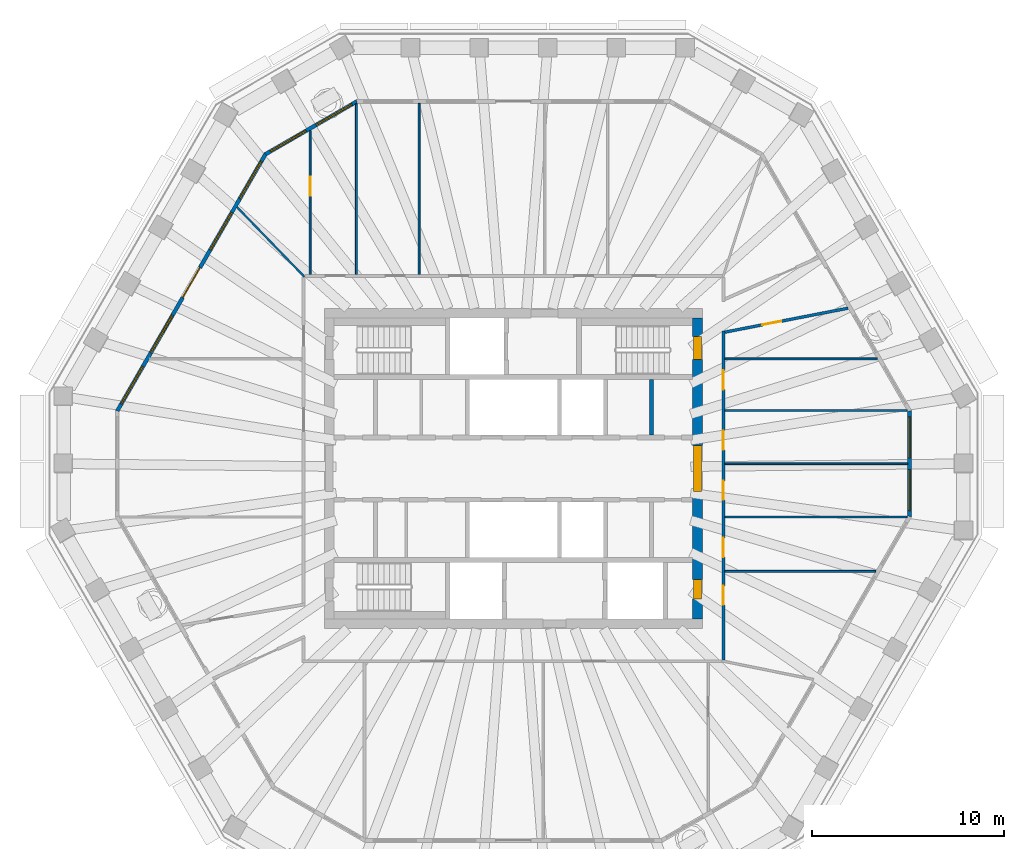
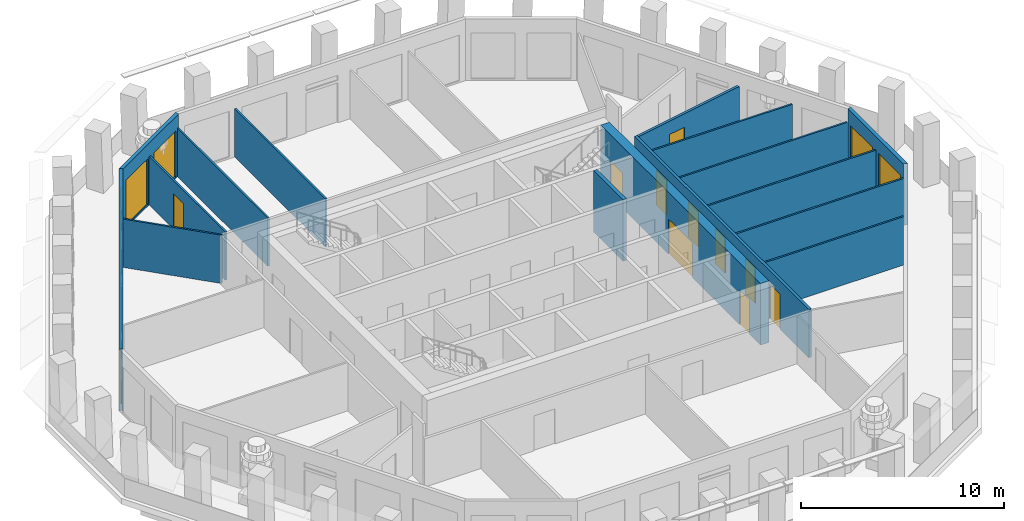
# One storey, part 6 of 12: 16 walls, 11 doors, 9 windows, 20 openings.
"""IFC4 building model written with IfcOpenShell, lengths in metres."""

from ifc_helpers import new_model, si_unit, direction, frame, frame_2d, origin, place, context, subcontext, project, spatial, polyline, rectangle, outline, extrude, material, layer, layer_set, type_object, element, fill, save


model = new_model("IFC4")

# Units and contexts
model_context = context("Model", 3, precision=1e-05, world=origin(), true_north=direction((0.0, 1.0)))
body_context = subcontext(model_context, "Body", "Model", "MODEL_VIEW")
ifc_project = project(units=[si_unit("LENGTHUNIT", "METRE"), si_unit("AREAUNIT", "SQUARE_METRE"), si_unit("VOLUMEUNIT", "CUBIC_METRE"), si_unit("PLANEANGLEUNIT", "RADIAN"), si_unit("MASSUNIT", "GRAM", prefix="KILO")], contexts=[model_context])

# Site, building, storey
site_placement = place(None, origin())
site = spatial("IfcSite", under=ifc_project, at=site_placement, CompositionType="ELEMENT")
building_placement = place(site_placement, origin())
building = spatial("IfcBuilding", under=site, at=building_placement, Name="Frailejon Research Tower", CompositionType="ELEMENT")
storey_placement = place(building_placement, frame((0.0, 0.0, 271.0)))
storey = spatial("IfcBuildingStorey", under=building, at=storey_placement, Name="L59", CompositionType="ELEMENT", Elevation=271.0)

# Wall, openings, doors
ifc_material_1 = material(Name="Concrete C50/60", Category="concrete")
ifc_layer_1 = layer(ifc_material_1, 0.5)
ifc_layer_set_1 = layer_set([ifc_layer_1], Name="Core shear wall 500 C50/60")
wall_type_1 = type_object("IfcWallType", Name="Core shear wall 500 C50/60", PredefinedType="SHEAR", material=ifc_layer_set_1)
wall_1_placement = place(storey_placement, frame((9.60009765625, -7.85009765625, 0.0), z_axis=(0.0, 0.0, 1.0), x_axis=(0.0, 1.0, 0.0)))
wall_1 = element("IfcWall", 1, at=wall_1_placement, inside=storey, type_object=wall_type_1, Name="Core shear wall", PredefinedType="SHEAR", context=body_context, shape_type="SweptSolid", body=[
    extrude(rectangle(XDim=15.7001953125, YDim=0.5, at=frame_2d((7.85009765625, 0.0))), origin(), (0.0, 0.0, 1.0), 3.699951171875),
])
opening_1_placement = place(wall_1_placement, frame((6.64990234375, 0.0, 0.0)))
opening_1 = element("IfcOpeningElement", 2, at=opening_1_placement, cuts=wall_1, Name="Opening D2", PredefinedType="OPENING", context=body_context, shape_type="SweptSolid", body=[
    extrude(rectangle(XDim=2.39990234375, YDim=2.10009765625, at=frame_2d((1.199951171875, 1.050048828125))), frame((0.0, 0.260009765625, 0.0), z_axis=(0.0, -1.0, 0.0), x_axis=(1.0, 0.0, 0.0)), (0.0, 0.0, 1.0), 0.52001953125),
])
opening_2_placement = place(wall_1_placement, frame((13.550048828125, 0.0, 0.0)))
opening_2 = element("IfcOpeningElement", 3, at=opening_2_placement, cuts=wall_1, Name="Opening D1", PredefinedType="OPENING", context=body_context, shape_type="SweptSolid", body=[
    extrude(rectangle(XDim=1.199951171875, YDim=2.10009765625, at=frame_2d((0.60009765625, 1.050048828125))), frame((0.0, 0.260009765625, 0.0), z_axis=(0.0, -1.0, 0.0), x_axis=(1.0, 0.0, 0.0)), (0.0, 0.0, 1.0), 0.52001953125),
])
opening_3_placement = place(wall_1_placement, frame((1.050048828125, 0.0, 0.0)))
opening_3 = element("IfcOpeningElement", 4, at=opening_3_placement, cuts=wall_1, Name="Opening D4", PredefinedType="OPENING", context=body_context, shape_type="SweptSolid", body=[
    extrude(rectangle(XDim=1.0, YDim=2.10009765625, at=frame_2d((0.5, 1.050048828125))), frame((0.0, 0.260009765625, 0.0), z_axis=(0.0, -1.0, 0.0), x_axis=(1.0, 0.0, 0.0)), (0.0, 0.0, 1.0), 0.52001953125),
])
ifc_material_2 = material(Name="Steel", Category="steel")
door_type_1 = type_object("IfcDoorType", Name="Lobby double door", OperationType="DOUBLE_DOOR_SINGLE_SWING", PredefinedType="DOOR", material=ifc_material_2)
door_1_placement = place(opening_1_placement, origin())
door_1 = element("IfcDoor", 5, at=door_1_placement, inside=storey, type_object=door_type_1, Name="Lobby door", OperationType="DOUBLE_DOOR_SINGLE_SWING", OverallHeight=2.10009765625, OverallWidth=2.39990234375, PredefinedType="DOOR", context=body_context, shape_type="SweptSolid", body=[
    extrude(rectangle(XDim=2.39990234375, YDim=2.10009765625, at=frame_2d((1.199951171875, 1.050048828125))), frame((0.0, 0.199951171875, 0.0), z_axis=(0.0, -1.0, 0.0), x_axis=(1.0, 0.0, 0.0)), (0.0, 0.0, 1.0), 0.39990234375),
])
fill(opening_1, door_1)
ifc_material_3 = material(Name="Steel", Category="steel")
door_type_2 = type_object("IfcDoorType", Name="Service door", OperationType="SINGLE_SWING_LEFT", PredefinedType="DOOR", material=ifc_material_3)
door_2_placement = place(opening_3_placement, origin())
door_2 = element("IfcDoor", 6, at=door_2_placement, inside=storey, type_object=door_type_2, Name="Riser door", OperationType="SINGLE_SWING_LEFT", OverallHeight=2.10009765625, OverallWidth=1.0, PredefinedType="DOOR", context=body_context, shape_type="SweptSolid", body=[
    extrude(rectangle(XDim=1.0, YDim=2.10009765625, at=frame_2d((0.5, 1.050048828125))), frame((0.0, 0.199951171875, 0.0), z_axis=(0.0, -1.0, 0.0), x_axis=(1.0, 0.0, 0.0)), (0.0, 0.0, 1.0), 0.39990234375),
])
fill(opening_3, door_2)
ifc_material_4 = material(Name="Steel", Category="steel")
door_type_3 = type_object("IfcDoorType", Name="Stair door", OperationType="SINGLE_SWING_LEFT", PredefinedType="DOOR", material=ifc_material_4)
door_3_placement = place(opening_2_placement, origin())
door_3 = element("IfcDoor", 7, at=door_3_placement, inside=storey, type_object=door_type_3, Name="Stair door ST3", OperationType="SINGLE_SWING_RIGHT", OverallHeight=2.10009765625, OverallWidth=1.199951171875, PredefinedType="DOOR", context=body_context, shape_type="SweptSolid", body=[
    extrude(rectangle(XDim=1.199951171875, YDim=2.10009765625, at=frame_2d((0.60009765625, 1.050048828125))), frame((0.0, 0.199951171875, 0.0), z_axis=(0.0, -1.0, 0.0), x_axis=(1.0, 0.0, 0.0)), (0.0, 0.0, 1.0), 0.39990234375),
])
fill(opening_2, door_3)

# Wall, opening, door
ifc_material_5 = material(Name="Gypsum board and masonry partition", Category="masonry")
ifc_layer_2 = layer(ifc_material_5, 0.14990234375)
ifc_layer_set_2 = layer_set([ifc_layer_2], Name="Corridor wall EI 60, gypsum on steel studs 150")
wall_type_2 = type_object("IfcWallType", Name="Corridor wall EI 60, gypsum on steel studs 150", PredefinedType="PARTITIONING", material=ifc_layer_set_2)
wall_2_placement = place(storey_placement, frame((11.023681640625, 7.1142578125, 0.0), z_axis=(0.0, 0.0, 1.0), x_axis=(0.981587463139, 0.191013225219, 0.0)))
wall_2 = element("IfcWall", 8, at=wall_2_placement, inside=storey, type_object=wall_type_2, Name="T:IW:L59:001", PredefinedType="PARTITIONING", context=body_context, shape_type="SweptSolid", body=[
    extrude(rectangle(XDim=6.55419921875, YDim=0.14990234375, at=frame_2d((3.277099609375, 0.0))), origin(), (0.0, 0.0, 1.0), 2.89990234375),
])
opening_4_placement = place(wall_2_placement, frame((2.000244140625, 0.0, 0.0)))
opening_4 = element("IfcOpeningElement", 9, at=opening_4_placement, cuts=wall_2, Name="Opening D2133", PredefinedType="OPENING", context=body_context, shape_type="SweptSolid", body=[
    extrude(rectangle(XDim=1.0, YDim=2.10009765625, at=frame_2d((0.5, 1.050048828125))), frame((0.0, 0.0849609375, 0.0), z_axis=(0.0, -1.0, 0.0), x_axis=(1.0, 0.0, 0.0)), (0.0, 0.0, 1.0), 0.169921875),
])
ifc_material_6 = material(Name="Timber door leaf", Category="wood")
door_type_4 = type_object("IfcDoorType", Name="Door single leaf, timber, steel frame 1000", OperationType="NOTDEFINED", PredefinedType="DOOR", material=ifc_material_6)
door_4_placement = place(opening_4_placement, origin())
door_4 = element("IfcDoor", 10, at=door_4_placement, inside=storey, type_object=door_type_4, Name="D2133", OperationType="SINGLE_SWING_RIGHT", OverallHeight=2.10009765625, OverallWidth=1.0, PredefinedType="DOOR", context=body_context, shape_type="SweptSolid", body=[
    extrude(rectangle(XDim=1.0, YDim=2.10009765625, at=frame_2d((0.5, 1.050048828125))), frame((0.0, 0.02490234375, 0.0), z_axis=(0.0, -1.0, 0.0), x_axis=(1.0, 0.0, 0.0)), (0.0, 0.0, 1.0), 0.050048828125),
])
fill(opening_4, door_4)

# Wall, openings, doors
wall_3_placement = place(storey_placement, frame((10.949951171875, -9.97509765625, 0.0), z_axis=(0.0, 0.0, 1.0), x_axis=(0.0, 1.0, 0.0)))
wall_3 = element("IfcWall", 11, at=wall_3_placement, inside=storey, type_object=wall_type_2, Name="T:IW:L59:003", PredefinedType="PARTITIONING", context=body_context, shape_type="SweptSolid", body=[
    extrude(rectangle(XDim=17.150146484375, YDim=0.14990234375, at=frame_2d((8.5751953125, 0.0))), origin(), (0.0, 0.0, 1.0), 2.89990234375),
])
opening_5_placement = place(wall_3_placement, frame((10.953857421875, 0.0, 0.0)))
opening_5 = element("IfcOpeningElement", 12, at=opening_5_placement, cuts=wall_3, Name="Opening D2131", PredefinedType="OPENING", context=body_context, shape_type="SweptSolid", body=[
    extrude(rectangle(XDim=1.0, YDim=2.10009765625, at=frame_2d((0.5, 1.050048828125))), frame((0.0, 0.0849609375, 0.0), z_axis=(0.0, -1.0, 0.0), x_axis=(1.0, 0.0, 0.0)), (0.0, 0.0, 1.0), 0.169921875),
])
opening_6_placement = place(wall_3_placement, frame((14.09619140625, 0.0, 0.0)))
opening_6 = element("IfcOpeningElement", 13, at=opening_6_placement, cuts=wall_3, Name="Opening D2132", PredefinedType="OPENING", context=body_context, shape_type="SweptSolid", body=[
    extrude(rectangle(XDim=1.0, YDim=2.10009765625, at=frame_2d((0.5, 1.050048828125))), frame((0.0, 0.0849609375, 0.0), z_axis=(0.0, -1.0, 0.0), x_axis=(1.0, 0.0, 0.0)), (0.0, 0.0, 1.0), 0.169921875),
])
opening_7_placement = place(wall_3_placement, frame((2.860107421875, 0.0, 0.0)))
opening_7 = element("IfcOpeningElement", 14, at=opening_7_placement, cuts=wall_3, Name="Opening D2148", PredefinedType="OPENING", context=body_context, shape_type="SweptSolid", body=[
    extrude(rectangle(XDim=1.0, YDim=2.10009765625, at=frame_2d((0.5, 1.050048828125))), frame((0.0, 0.0849609375, 0.0), z_axis=(0.0, -1.0, 0.0), x_axis=(1.0, 0.0, 0.0)), (0.0, 0.0, 1.0), 0.169921875),
])
opening_8_placement = place(wall_3_placement, frame((5.357421875, 0.0, 0.0)))
opening_8 = element("IfcOpeningElement", 15, at=opening_8_placement, cuts=wall_3, Name="Opening D2149", PredefinedType="OPENING", context=body_context, shape_type="SweptSolid", body=[
    extrude(rectangle(XDim=1.0, YDim=2.10009765625, at=frame_2d((0.5, 1.050048828125))), frame((0.0, 0.0849609375, 0.0), z_axis=(0.0, -1.0, 0.0), x_axis=(1.0, 0.0, 0.0)), (0.0, 0.0, 1.0), 0.169921875),
])
opening_9_placement = place(wall_3_placement, frame((8.337158203125, 0.0, 0.0)))
opening_9 = element("IfcOpeningElement", 16, at=opening_9_placement, cuts=wall_3, Name="Opening D2150", PredefinedType="OPENING", context=body_context, shape_type="SweptSolid", body=[
    extrude(rectangle(XDim=1.0, YDim=2.10009765625, at=frame_2d((0.5, 1.050048828125))), frame((0.0, 0.0849609375, 0.0), z_axis=(0.0, -1.0, 0.0), x_axis=(1.0, 0.0, 0.0)), (0.0, 0.0, 1.0), 0.169921875),
])
door_5_placement = place(opening_5_placement, origin())
door_5 = element("IfcDoor", 17, at=door_5_placement, inside=storey, type_object=door_type_4, Name="D2131", OperationType="SINGLE_SWING_LEFT", OverallHeight=2.10009765625, OverallWidth=1.0, PredefinedType="DOOR", context=body_context, shape_type="SweptSolid", body=[
    extrude(rectangle(XDim=1.0, YDim=2.10009765625, at=frame_2d((0.5, 1.050048828125))), frame((0.0, 0.02490234375, 0.0), z_axis=(0.0, -1.0, 0.0), x_axis=(1.0, 0.0, 0.0)), (0.0, 0.0, 1.0), 0.050048828125),
])
fill(opening_5, door_5)
door_6_placement = place(opening_6_placement, origin())
door_6 = element("IfcDoor", 18, at=door_6_placement, inside=storey, type_object=door_type_4, Name="D2132", OperationType="SINGLE_SWING_LEFT", OverallHeight=2.10009765625, OverallWidth=1.0, PredefinedType="DOOR", context=body_context, shape_type="SweptSolid", body=[
    extrude(rectangle(XDim=1.0, YDim=2.10009765625, at=frame_2d((0.5, 1.050048828125))), frame((0.0, 0.02490234375, 0.0), z_axis=(0.0, -1.0, 0.0), x_axis=(1.0, 0.0, 0.0)), (0.0, 0.0, 1.0), 0.050048828125),
])
fill(opening_6, door_6)
door_7_placement = place(opening_7_placement, origin())
door_7 = element("IfcDoor", 19, at=door_7_placement, inside=storey, type_object=door_type_4, Name="D2148", OperationType="SINGLE_SWING_LEFT", OverallHeight=2.10009765625, OverallWidth=1.0, PredefinedType="DOOR", context=body_context, shape_type="SweptSolid", body=[
    extrude(rectangle(XDim=1.0, YDim=2.10009765625, at=frame_2d((0.5, 1.050048828125))), frame((0.0, 0.02490234375, 0.0), z_axis=(0.0, -1.0, 0.0), x_axis=(1.0, 0.0, 0.0)), (0.0, 0.0, 1.0), 0.050048828125),
])
fill(opening_7, door_7)
door_8_placement = place(opening_8_placement, origin())
door_8 = element("IfcDoor", 20, at=door_8_placement, inside=storey, type_object=door_type_4, Name="D2149", OperationType="SINGLE_SWING_RIGHT", OverallHeight=2.10009765625, OverallWidth=1.0, PredefinedType="DOOR", context=body_context, shape_type="SweptSolid", body=[
    extrude(rectangle(XDim=1.0, YDim=2.10009765625, at=frame_2d((0.5, 1.050048828125))), frame((0.0, 0.02490234375, 0.0), z_axis=(0.0, -1.0, 0.0), x_axis=(1.0, 0.0, 0.0)), (0.0, 0.0, 1.0), 0.050048828125),
])
fill(opening_8, door_8)
door_9_placement = place(opening_9_placement, origin())
door_9 = element("IfcDoor", 21, at=door_9_placement, inside=storey, type_object=door_type_4, Name="D2150", OperationType="SINGLE_SWING_LEFT", OverallHeight=2.10009765625, OverallWidth=1.0, PredefinedType="DOOR", context=body_context, shape_type="SweptSolid", body=[
    extrude(rectangle(XDim=1.0, YDim=2.10009765625, at=frame_2d((0.5, 1.050048828125))), frame((0.0, 0.02490234375, 0.0), z_axis=(0.0, -1.0, 0.0), x_axis=(1.0, 0.0, 0.0)), (0.0, 0.0, 1.0), 0.050048828125),
])
fill(opening_9, door_9)

# Walls
ifc_material_7 = material(Name="Gypsum board and masonry partition", Category="masonry")
ifc_layer_3 = layer(ifc_material_7, 0.10009765625)
ifc_layer_set_3 = layer_set([ifc_layer_3], Name="Partition, gypsum on steel studs 100")
wall_type_3 = type_object("IfcWallType", Name="Partition, gypsum on steel studs 100", PredefinedType="PARTITIONING", material=ifc_layer_set_3)
wall_4_placement = place(storey_placement, frame((11.02490234375, 3.02978515625, 0.0), z_axis=(0.0, 0.0, 1.0), x_axis=(1.0, 0.0, 0.0)))
element("IfcWall", 22, at=wall_4_placement, inside=storey, type_object=wall_type_3, Name="T:IW:L59:012", PredefinedType="PARTITIONING", context=body_context, shape_type="SweptSolid", body=[
    extrude(rectangle(XDim=9.51318359375, YDim=0.10009765625, at=frame_2d((4.756591796875, 0.0))), origin(), (0.0, 0.0, 1.0), 2.89990234375),
])
wall_5_placement = place(storey_placement, frame((11.02490234375, 0.25146484375, 0.0), z_axis=(0.0, 0.0, 1.0), x_axis=(1.0, 0.0, 0.0)))
element("IfcWall", 23, at=wall_5_placement, inside=storey, type_object=wall_type_3, Name="T:IW:L59:013", PredefinedType="PARTITIONING", context=body_context, shape_type="SweptSolid", body=[
    extrude(rectangle(XDim=9.544189453125, YDim=0.10009765625, at=frame_2d((4.77197265625, 0.0))), origin(), (0.0, 0.0, 1.0), 2.89990234375),
])
wall_6_placement = place(storey_placement, frame((11.02490234375, 5.71826171875, 0.0), z_axis=(0.0, 0.0, 1.0), x_axis=(1.0, 0.0, 0.0)))
element("IfcWall", 24, at=wall_6_placement, inside=storey, type_object=wall_type_3, Name="T:IW:L59:015", PredefinedType="PARTITIONING", context=body_context, shape_type="SweptSolid", body=[
    extrude(rectangle(XDim=7.9609375, YDim=0.10009765625, at=frame_2d((3.98046875, 0.0))), origin(), (0.0, 0.0, 1.0), 2.89990234375),
])
wall_7_placement = place(storey_placement, frame((-4.91748046875, 10.125, 0.0), z_axis=(0.0, 0.0, 1.0), x_axis=(0.0, 1.0, 0.0)))
element("IfcWall", 25, at=wall_7_placement, inside=storey, type_object=wall_type_3, Name="T:IW:L59:019", PredefinedType="PARTITIONING", context=body_context, shape_type="SweptSolid", body=[
    extrude(rectangle(XDim=8.925048828125, YDim=0.10009765625, at=frame_2d((4.46240234375, 0.0))), origin(), (0.0, 0.0, 1.0), 2.89990234375),
])
wall_8_placement = place(storey_placement, frame((-8.196044921875, 10.125, 0.0), z_axis=(0.0, 0.0, 1.0), x_axis=(0.0, 1.0, 0.0)))
element("IfcWall", 26, at=wall_8_placement, inside=storey, type_object=wall_type_3, Name="T:IW:L59:020", PredefinedType="PARTITIONING", context=body_context, shape_type="SweptSolid", body=[
    extrude(rectangle(XDim=8.89404296875, YDim=0.10009765625, at=frame_2d((4.447021484375, 0.0))), origin(), (0.0, 0.0, 1.0), 2.89990234375),
])

# Wall, opening, door
wall_9_placement = place(storey_placement, frame((-10.602294921875, 10.125, 0.0), z_axis=(0.0, 0.0, 1.0), x_axis=(0.0, 1.0, 0.0)))
wall_9 = element("IfcWall", 27, at=wall_9_placement, inside=storey, type_object=wall_type_3, Name="T:IW:L59:021", PredefinedType="PARTITIONING", context=body_context, shape_type="SweptSolid", body=[
    extrude(rectangle(XDim=7.5048828125, YDim=0.10009765625, at=frame_2d((3.75244140625, 0.0))), origin(), (0.0, 0.0, 1.0), 2.89990234375),
])
opening_10_placement = place(wall_9_placement, frame((4.096923828125, 0.0, 0.0)))
opening_10 = element("IfcOpeningElement", 28, at=opening_10_placement, cuts=wall_9, Name="Opening D2140", PredefinedType="OPENING", context=body_context, shape_type="SweptSolid", body=[
    extrude(rectangle(XDim=1.0, YDim=2.10009765625, at=frame_2d((0.5, 1.050048828125))), frame((0.0, 0.06005859375, 0.0), z_axis=(0.0, -1.0, 0.0), x_axis=(1.0, 0.0, 0.0)), (0.0, 0.0, 1.0), 0.1201171875),
])
door_10_placement = place(opening_10_placement, origin())
door_10 = element("IfcDoor", 29, at=door_10_placement, inside=storey, type_object=door_type_4, Name="D2140", OperationType="SINGLE_SWING_LEFT", OverallHeight=2.10009765625, OverallWidth=1.0, PredefinedType="DOOR", context=body_context, shape_type="SweptSolid", body=[
    extrude(rectangle(XDim=1.0, YDim=2.10009765625, at=frame_2d((0.5, 1.050048828125))), frame((0.0, 0.02490234375, 0.0), z_axis=(0.0, -1.0, 0.0), x_axis=(1.0, 0.0, 0.0)), (0.0, 0.0, 1.0), 0.050048828125),
])
fill(opening_10, door_10)

# Walls
wall_10_placement = place(storey_placement, frame((-14.416015625, 13.6337890625, 0.0), z_axis=(0.0, 0.0, 1.0), x_axis=(0.69518833949, -0.718827637641, 0.0)))
element("IfcWall", 30, at=wall_10_placement, inside=storey, type_object=wall_type_3, Name="T:IW:L59:022", PredefinedType="PARTITIONING", context=body_context, shape_type="SweptSolid", body=[
    extrude(rectangle(XDim=5.060546875, YDim=0.10009765625, at=frame_2d((2.5302734375, 0.0))), origin(), (0.0, 0.0, 1.0), 2.89990234375),
])
wall_11_placement = place(storey_placement, frame((11.02490234375, -2.527099609375, 0.0), z_axis=(0.0, 0.0, 1.0), x_axis=(1.0, 0.0, 0.0)))
element("IfcWall", 31, at=wall_11_placement, inside=storey, type_object=wall_type_3, Name="T:IW:L59:024", PredefinedType="PARTITIONING", context=body_context, shape_type="SweptSolid", body=[
    extrude(rectangle(XDim=9.51318359375, YDim=0.10009765625, at=frame_2d((4.756591796875, 0.0))), origin(), (0.0, 0.0, 1.0), 2.89990234375),
])
wall_12_placement = place(storey_placement, frame((11.02490234375, -5.3662109375, 0.0), z_axis=(0.0, 0.0, 1.0), x_axis=(1.0, 0.0, 0.0)))
element("IfcWall", 32, at=wall_12_placement, inside=storey, type_object=wall_type_3, Name="T:IW:L59:028", PredefinedType="PARTITIONING", context=body_context, shape_type="SweptSolid", body=[
    extrude(rectangle(XDim=7.873779296875, YDim=0.10009765625, at=frame_2d((3.93701171875, 0.0))), origin(), (0.0, 0.0, 1.0), 2.89990234375),
])
ifc_material_8 = material(Name="Concrete C50/60", Category="concrete")
ifc_layer_4 = layer(ifc_material_8, 0.199951171875)
ifc_layer_set_4 = layer_set([ifc_layer_4], Name="Shaft wall 200 C50/60")
wall_type_4 = type_object("IfcWallType", Name="Shaft wall 200 C50/60", PredefinedType="SOLIDWALL", material=ifc_layer_set_4)
wall_13_placement = place(storey_placement, frame((7.199951171875, 1.75, 0.0), z_axis=(0.0, 0.0, 1.0), x_axis=(0.0, 1.0, 0.0)))
element("IfcWall", 33, at=wall_13_placement, inside=storey, type_object=wall_type_4, Name="Shaft wall", PredefinedType="SOLIDWALL", context=body_context, shape_type="SweptSolid", body=[
    extrude(rectangle(XDim=2.89990234375, YDim=0.199951171875, at=frame_2d((1.449951171875, 0.0))), origin(), (0.0, 0.0, 1.0), 3.699951171875),
])

# Wall, openings, windows
ifc_material_9 = material(Name="Concrete C40/50 precast window wall panel", Category="concrete")
ifc_layer_5 = layer(ifc_material_9, 0.199951171875)
ifc_layer_set_5 = layer_set([ifc_layer_5], Name="Window wall 200")
wall_type_5 = type_object("IfcWallType", Name="Window wall 200", PredefinedType="SOLIDWALL", material=ifc_layer_set_5)
wall_14_placement = place(storey_placement, frame((20.6689453125, -2.500244140625, 0.0), z_axis=(0.0, 0.0, 1.0), x_axis=(0.0, 1.0, 0.0)))
wall_14 = element("IfcWall", 34, at=wall_14_placement, inside=storey, type_object=wall_type_5, Name="Exterior wall L59", PredefinedType="SOLIDWALL", context=body_context, shape_type="SweptSolid", body=[
    extrude(outline(polyline([(-0.02685546875, -0.10009765625), (1.08447265625, -0.10009765625), (2.196044921875, -0.10009765625), (3.307373046875, -0.10009765625), (4.4189453125, -0.10009765625), (5.5302734375, -0.10009765625), (5.4765625, 0.10009765625), (4.38671875, 0.10009765625), (3.296630859375, 0.10009765625), (2.206787109375, 0.10009765625), (1.11669921875, 0.10009765625), (0.02685546875, 0.10009765625), (-0.02685546875, -0.10009765625)])), origin(), (0.0, 0.0, 1.0), 3.699951171875),
])
opening_11_placement = place(wall_14_placement, frame((0.30078125, 0.0, 0.10009765625)))
opening_11 = element("IfcOpeningElement", 35, at=opening_11_placement, cuts=wall_14, Name="Opening W22", PredefinedType="OPENING", context=body_context, shape_type="SweptSolid", body=[
    extrude(rectangle(XDim=2.14990234375, YDim=2.75, at=frame_2d((1.074951171875, 1.375))), frame((0.0, 0.10986328125, 0.0), z_axis=(0.0, -1.0, 0.0), x_axis=(1.0, 0.0, 0.0)), (0.0, 0.0, 1.0), 0.219970703125),
])
opening_12_placement = place(wall_14_placement, frame((3.052490234375, 0.0, 0.10009765625)))
opening_12 = element("IfcOpeningElement", 36, at=opening_12_placement, cuts=wall_14, Name="Opening W22", PredefinedType="OPENING", context=body_context, shape_type="SweptSolid", body=[
    extrude(rectangle(XDim=2.14990234375, YDim=2.75, at=frame_2d((1.074951171875, 1.375))), frame((0.0, 0.10986328125, 0.0), z_axis=(0.0, -1.0, 0.0), x_axis=(1.0, 0.0, 0.0)), (0.0, 0.0, 1.0), 0.219970703125),
])
ifc_material_10 = material(Name="Aluminium framed double glazing", Category="aluminium")
window_type_1 = type_object("IfcWindowType", Name="Window 2150x2750", PartitioningType="SINGLE_PANEL", PredefinedType="WINDOW", material=ifc_material_10)
window_1_placement = place(opening_11_placement, origin())
window_1 = element("IfcWindow", 37, at=window_1_placement, inside=storey, type_object=window_type_1, Name="Window L59", OverallHeight=2.75, OverallWidth=2.14990234375, PartitioningType="SINGLE_PANEL", PredefinedType="WINDOW", context=body_context, shape_type="SweptSolid", body=[
    extrude(rectangle(XDim=2.14990234375, YDim=2.75, at=frame_2d((1.074951171875, 1.375))), frame((0.0, 0.030029296875, 0.0), z_axis=(0.0, -1.0, 0.0), x_axis=(1.0, 0.0, 0.0)), (0.0, 0.0, 1.0), 0.06005859375),
])
fill(opening_11, window_1)
window_2_placement = place(opening_12_placement, origin())
window_2 = element("IfcWindow", 38, at=window_2_placement, inside=storey, type_object=window_type_1, Name="Window L59", OverallHeight=2.75, OverallWidth=2.14990234375, PartitioningType="SINGLE_PANEL", PredefinedType="WINDOW", context=body_context, shape_type="SweptSolid", body=[
    extrude(rectangle(XDim=2.14990234375, YDim=2.75, at=frame_2d((1.074951171875, 1.375))), frame((0.0, 0.030029296875, 0.0), z_axis=(0.0, -1.0, 0.0), x_axis=(1.0, 0.0, 0.0)), (0.0, 0.0, 1.0), 0.06005859375),
])
fill(opening_12, window_2)

wall_15_placement = place(storey_placement, frame((-8.169189453125, 19.14990234375, 0.0), z_axis=(0.0, 0.0, 1.0), x_axis=(-0.866026017613, -0.499998936816, 0.0)))
wall_15 = element("IfcWall", 39, at=wall_15_placement, inside=storey, type_object=wall_type_5, Name="Exterior wall L59", PredefinedType="SOLIDWALL", context=body_context, shape_type="SweptSolid", body=[
    extrude(outline(polyline([(-0.02685546875, -0.10009765625), (1.08447265625, -0.10009765625), (2.196044921875, -0.10009765625), (3.307373046875, -0.10009765625), (4.4189453125, -0.10009765625), (5.5302734375, -0.10009765625), (5.4765625, 0.10009765625), (4.38671875, 0.10009765625), (3.296630859375, 0.10009765625), (2.206787109375, 0.10009765625), (1.11669921875, 0.10009765625), (0.02685546875, 0.10009765625), (-0.02685546875, -0.10009765625)])), origin(), (0.0, 0.0, 1.0), 3.699951171875),
])
opening_13_placement = place(wall_15_placement, frame((0.30078125, 0.0, 0.10009765625)))
opening_13 = element("IfcOpeningElement", 40, at=opening_13_placement, cuts=wall_15, Name="Opening W22", PredefinedType="OPENING", context=body_context, shape_type="SweptSolid", body=[
    extrude(rectangle(XDim=2.14990234375, YDim=2.75, at=frame_2d((1.074951171875, 1.375))), frame((0.0, 0.10986328125, 0.0), z_axis=(0.0, -1.0, 0.0), x_axis=(1.0, 0.0, 0.0)), (0.0, 0.0, 1.0), 0.219970703125),
])
opening_14_placement = place(wall_15_placement, frame((3.052490234375, 0.0, 0.10009765625)))
opening_14 = element("IfcOpeningElement", 41, at=opening_14_placement, cuts=wall_15, Name="Opening W22", PredefinedType="OPENING", context=body_context, shape_type="SweptSolid", body=[
    extrude(rectangle(XDim=2.14990234375, YDim=2.75, at=frame_2d((1.074951171875, 1.375))), frame((0.0, 0.10986328125, 0.0), z_axis=(0.0, -1.0, 0.0), x_axis=(1.0, 0.0, 0.0)), (0.0, 0.0, 1.0), 0.219970703125),
])
window_3_placement = place(opening_13_placement, origin())
window_3 = element("IfcWindow", 42, at=window_3_placement, inside=storey, type_object=window_type_1, Name="Window L59", OverallHeight=2.75, OverallWidth=2.14990234375, PartitioningType="SINGLE_PANEL", PredefinedType="WINDOW", context=body_context, shape_type="SweptSolid", body=[
    extrude(rectangle(XDim=2.14990234375, YDim=2.75, at=frame_2d((1.074951171875, 1.375))), frame((0.0, 0.030029296875, 0.0), z_axis=(0.0, -1.0, 0.0), x_axis=(1.0, 0.0, 0.0)), (0.0, 0.0, 1.0), 0.06005859375),
])
fill(opening_13, window_3)
window_4_placement = place(opening_14_placement, origin())
window_4 = element("IfcWindow", 43, at=window_4_placement, inside=storey, type_object=window_type_1, Name="Window L59", OverallHeight=2.75, OverallWidth=2.14990234375, PartitioningType="SINGLE_PANEL", PredefinedType="WINDOW", context=body_context, shape_type="SweptSolid", body=[
    extrude(rectangle(XDim=2.14990234375, YDim=2.75, at=frame_2d((1.074951171875, 1.375))), frame((0.0, 0.030029296875, 0.0), z_axis=(0.0, -1.0, 0.0), x_axis=(1.0, 0.0, 0.0)), (0.0, 0.0, 1.0), 0.06005859375),
])
fill(opening_14, window_4)

# Wall, openings, door, windows
wall_16_placement = place(storey_placement, frame((-12.935302734375, 16.398193359375, 0.0), z_axis=(0.0, 0.0, 1.0), x_axis=(-0.500001185373, -0.866024719408, 0.0)))
wall_16 = element("IfcWall", 44, at=wall_16_placement, inside=storey, type_object=wall_type_5, Name="Exterior wall L59", PredefinedType="SOLIDWALL", context=body_context, shape_type="SweptSolid", body=[
    extrude(outline(polyline([(-0.02685546875, -0.10009765625), (1.0078125, -0.10009765625), (2.042724609375, -0.10009765625), (3.077392578125, -0.10009765625), (4.112060546875, -0.10009765625), (5.146728515625, -0.10009765625), (6.181640625, -0.10009765625), (7.21630859375, -0.10009765625), (8.2509765625, -0.10009765625), (9.28564453125, -0.10009765625), (10.320556640625, -0.10009765625), (11.355224609375, -0.10009765625), (12.389892578125, -0.10009765625), (13.424560546875, -0.10009765625), (14.45947265625, -0.10009765625), (15.494140625, -0.10009765625), (15.4404296875, 0.10009765625), (14.412841796875, 0.10009765625), (13.38525390625, 0.10009765625), (12.357666015625, 0.10009765625), (11.330078125, 0.10009765625), (10.302490234375, 0.10009765625), (9.27490234375, 0.10009765625), (8.247314453125, 0.10009765625), (7.219970703125, 0.10009765625), (6.1923828125, 0.10009765625), (5.164794921875, 0.10009765625), (4.13720703125, 0.10009765625), (3.109619140625, 0.10009765625), (2.08203125, 0.10009765625), (1.054443359375, 0.10009765625), (0.02685546875, 0.10009765625), (-0.02685546875, -0.10009765625)])), origin(), (0.0, 0.0, 1.0), 3.699951171875),
])
opening_15_placement = place(wall_16_placement, frame((0.421630859375, 0.0, 0.10009765625)))
opening_15 = element("IfcOpeningElement", 45, at=opening_15_placement, cuts=wall_16, Name="Opening W23", PredefinedType="OPENING", context=body_context, shape_type="SweptSolid", body=[
    extrude(rectangle(XDim=2.25, YDim=2.75, at=frame_2d((1.125, 1.375))), frame((0.0, 0.10986328125, 0.0), z_axis=(0.0, -1.0, 0.0), x_axis=(1.0, 0.0, 0.0)), (0.0, 0.0, 1.0), 0.219970703125),
])
opening_16_placement = place(wall_16_placement, frame((3.51513671875, 0.0, 0.10009765625)))
opening_16 = element("IfcOpeningElement", 46, at=opening_16_placement, cuts=wall_16, Name="Opening W23", PredefinedType="OPENING", context=body_context, shape_type="SweptSolid", body=[
    extrude(rectangle(XDim=2.25, YDim=2.75, at=frame_2d((1.125, 1.375))), frame((0.0, 0.10986328125, 0.0), z_axis=(0.0, -1.0, 0.0), x_axis=(1.0, 0.0, 0.0)), (0.0, 0.0, 1.0), 0.219970703125),
])
opening_17_placement = place(wall_16_placement, frame((6.833740234375, 0.0, 0.0)))
opening_17 = element("IfcOpeningElement", 47, at=opening_17_placement, cuts=wall_16, Name="Opening LG59-3", PredefinedType="OPENING", context=body_context, shape_type="SweptSolid", body=[
    extrude(rectangle(XDim=1.800048828125, YDim=2.39990234375, at=frame_2d((0.89990234375, 1.199951171875))), frame((0.0, 0.10986328125, 0.0), z_axis=(0.0, -1.0, 0.0), x_axis=(1.0, 0.0, 0.0)), (0.0, 0.0, 1.0), 0.219970703125),
])
opening_18_placement = place(wall_16_placement, frame((6.833740234375, 0.0, 2.550048828125)))
opening_18 = element("IfcOpeningElement", 48, at=opening_18_placement, cuts=wall_16, Name="Opening W24", PredefinedType="OPENING", context=body_context, shape_type="SweptSolid", body=[
    extrude(rectangle(XDim=1.800048828125, YDim=0.300048828125, at=frame_2d((0.89990234375, 0.14990234375))), frame((0.0, 0.10986328125, 0.0), z_axis=(0.0, -1.0, 0.0), x_axis=(1.0, 0.0, 0.0)), (0.0, 0.0, 1.0), 0.219970703125),
])
opening_19_placement = place(wall_16_placement, frame((9.7021484375, 0.0, 0.10009765625)))
opening_19 = element("IfcOpeningElement", 49, at=opening_19_placement, cuts=wall_16, Name="Opening W23", PredefinedType="OPENING", context=body_context, shape_type="SweptSolid", body=[
    extrude(rectangle(XDim=2.25, YDim=2.75, at=frame_2d((1.125, 1.375))), frame((0.0, 0.10986328125, 0.0), z_axis=(0.0, -1.0, 0.0), x_axis=(1.0, 0.0, 0.0)), (0.0, 0.0, 1.0), 0.219970703125),
])
opening_20_placement = place(wall_16_placement, frame((12.795654296875, 0.0, 0.10009765625)))
opening_20 = element("IfcOpeningElement", 50, at=opening_20_placement, cuts=wall_16, Name="Opening W23", PredefinedType="OPENING", context=body_context, shape_type="SweptSolid", body=[
    extrude(rectangle(XDim=2.25, YDim=2.75, at=frame_2d((1.125, 1.375))), frame((0.0, 0.10986328125, 0.0), z_axis=(0.0, -1.0, 0.0), x_axis=(1.0, 0.0, 0.0)), (0.0, 0.0, 1.0), 0.219970703125),
])
ifc_material_11 = material(Name="Aluminium framed glazed door leaf", Category="aluminium")
door_type_5 = type_object("IfcDoorType", Name="Loggia door 1800x2400", OperationType="DOUBLE_DOOR_SINGLE_SWING", PredefinedType="DOOR", material=ifc_material_11)
door_11_placement = place(opening_17_placement, origin())
door_11 = element("IfcDoor", 51, at=door_11_placement, inside=storey, type_object=door_type_5, Name="Door LG59-3", OperationType="DOUBLE_DOOR_SINGLE_SWING", OverallHeight=2.39990234375, OverallWidth=1.800048828125, PredefinedType="DOOR", context=body_context, shape_type="SweptSolid", body=[
    extrude(rectangle(XDim=1.800048828125, YDim=2.39990234375, at=frame_2d((0.89990234375, 1.199951171875))), frame((0.0, 0.02490234375, 0.0), z_axis=(0.0, -1.0, 0.0), x_axis=(1.0, 0.0, 0.0)), (0.0, 0.0, 1.0), 0.050048828125),
])
fill(opening_17, door_11)
ifc_material_12 = material(Name="Aluminium framed double glazing", Category="aluminium")
window_type_2 = type_object("IfcWindowType", Name="Window 1800x300", PartitioningType="SINGLE_PANEL", PredefinedType="WINDOW", material=ifc_material_12)
window_5_placement = place(opening_18_placement, origin())
window_5 = element("IfcWindow", 52, at=window_5_placement, inside=storey, type_object=window_type_2, Name="Window L59", OverallHeight=0.300048828125, OverallWidth=1.800048828125, PartitioningType="SINGLE_PANEL", PredefinedType="WINDOW", context=body_context, shape_type="SweptSolid", body=[
    extrude(rectangle(XDim=1.800048828125, YDim=0.300048828125, at=frame_2d((0.89990234375, 0.14990234375))), frame((0.0, 0.030029296875, 0.0), z_axis=(0.0, -1.0, 0.0), x_axis=(1.0, 0.0, 0.0)), (0.0, 0.0, 1.0), 0.06005859375),
])
fill(opening_18, window_5)
ifc_material_13 = material(Name="Aluminium framed double glazing", Category="aluminium")
window_type_3 = type_object("IfcWindowType", Name="Window 2250x2750", PartitioningType="SINGLE_PANEL", PredefinedType="WINDOW", material=ifc_material_13)
window_6_placement = place(opening_15_placement, origin())
window_6 = element("IfcWindow", 53, at=window_6_placement, inside=storey, type_object=window_type_3, Name="Window L59", OverallHeight=2.75, OverallWidth=2.25, PartitioningType="SINGLE_PANEL", PredefinedType="WINDOW", context=body_context, shape_type="SweptSolid", body=[
    extrude(rectangle(XDim=2.25, YDim=2.75, at=frame_2d((1.125, 1.375))), frame((0.0, 0.030029296875, 0.0), z_axis=(0.0, -1.0, 0.0), x_axis=(1.0, 0.0, 0.0)), (0.0, 0.0, 1.0), 0.06005859375),
])
fill(opening_15, window_6)
window_7_placement = place(opening_16_placement, origin())
window_7 = element("IfcWindow", 54, at=window_7_placement, inside=storey, type_object=window_type_3, Name="Window L59", OverallHeight=2.75, OverallWidth=2.25, PartitioningType="SINGLE_PANEL", PredefinedType="WINDOW", context=body_context, shape_type="SweptSolid", body=[
    extrude(rectangle(XDim=2.25, YDim=2.75, at=frame_2d((1.125, 1.375))), frame((0.0, 0.030029296875, 0.0), z_axis=(0.0, -1.0, 0.0), x_axis=(1.0, 0.0, 0.0)), (0.0, 0.0, 1.0), 0.06005859375),
])
fill(opening_16, window_7)
window_8_placement = place(opening_19_placement, origin())
window_8 = element("IfcWindow", 55, at=window_8_placement, inside=storey, type_object=window_type_3, Name="Window L59", OverallHeight=2.75, OverallWidth=2.25, PartitioningType="SINGLE_PANEL", PredefinedType="WINDOW", context=body_context, shape_type="SweptSolid", body=[
    extrude(rectangle(XDim=2.25, YDim=2.75, at=frame_2d((1.125, 1.375))), frame((0.0, 0.030029296875, 0.0), z_axis=(0.0, -1.0, 0.0), x_axis=(1.0, 0.0, 0.0)), (0.0, 0.0, 1.0), 0.06005859375),
])
fill(opening_19, window_8)
window_9_placement = place(opening_20_placement, origin())
window_9 = element("IfcWindow", 56, at=window_9_placement, inside=storey, type_object=window_type_3, Name="Window L59", OverallHeight=2.75, OverallWidth=2.25, PartitioningType="SINGLE_PANEL", PredefinedType="WINDOW", context=body_context, shape_type="SweptSolid", body=[
    extrude(rectangle(XDim=2.25, YDim=2.75, at=frame_2d((1.125, 1.375))), frame((0.0, 0.030029296875, 0.0), z_axis=(0.0, -1.0, 0.0), x_axis=(1.0, 0.0, 0.0)), (0.0, 0.0, 1.0), 0.06005859375),
])
fill(opening_20, window_9)

save(model, "model.ifc")
